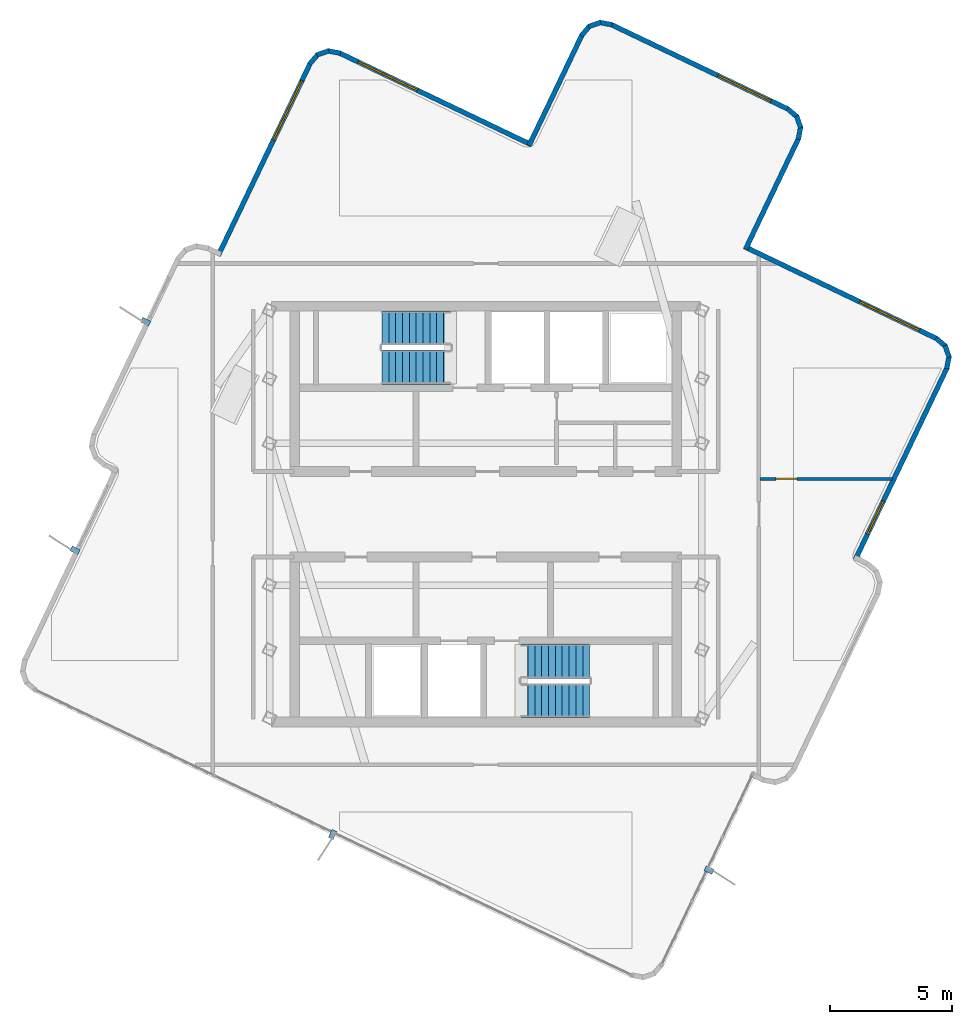
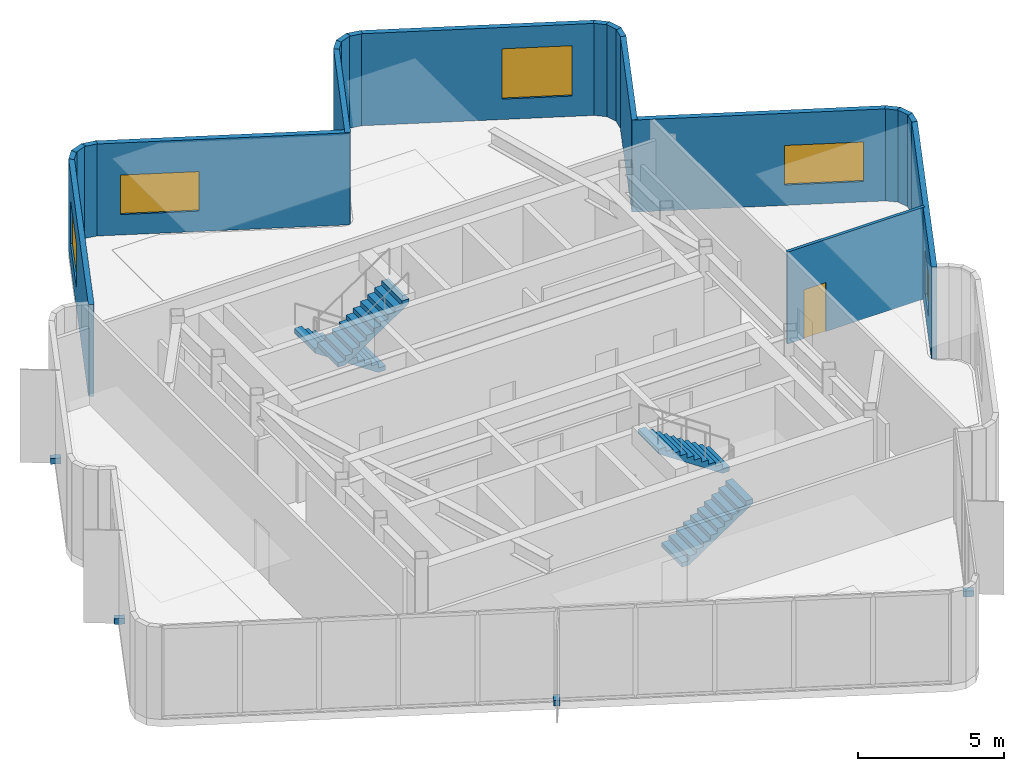
# One storey, part 5 of 8: 20 walls, 5 windows, 4 discrete accessories, 4 stair flights, 1 door, 6 openings, 2 elements without a shape of their own.
"""IFC4 building model written with IfcOpenShell, lengths in metres."""

from ifc_helpers import new_model, si_unit, direction, frame, frame_2d, origin, origin_2d, place, context, subcontext, project, spatial, polyline, rectangle, outline, extrude, material, layer, layer_set, type_object, element, fill, aggregate, save


model = new_model("IFC4")

# Units and contexts
model_context = context("Model", 3, precision=1e-05, world=origin(), true_north=direction((0.0, 1.0)))
body_context = subcontext(model_context, "Body", "Model", "MODEL_VIEW")
ifc_project = project(units=[si_unit("LENGTHUNIT", "METRE"), si_unit("AREAUNIT", "SQUARE_METRE"), si_unit("VOLUMEUNIT", "CUBIC_METRE"), si_unit("PLANEANGLEUNIT", "RADIAN"), si_unit("MASSUNIT", "GRAM", prefix="KILO")], contexts=[model_context])

# Site, building, storey
site_placement = place(None, origin())
site = spatial("IfcSite", under=ifc_project, at=site_placement, CompositionType="ELEMENT")
building_placement = place(site_placement, origin())
building = spatial("IfcBuilding", under=site, at=building_placement, Name="Solmarez Civic Tower", CompositionType="ELEMENT")
storey_placement = place(building_placement, frame((0.0, 0.0, 293.39990234375)))
storey = spatial("IfcBuildingStorey", under=building, at=storey_placement, Name="L79 Crown", CompositionType="ELEMENT", Elevation=293.39990234375)

# Wall, opening, window
ifc_material_1 = material(Name="Precast concrete C40/50", Category="concrete")
ifc_layer_1 = layer(ifc_material_1, 0.199951171875)
ifc_layer_set_1 = layer_set([ifc_layer_1], Name="Precast concrete C40/50")
wall_type_1 = type_object("IfcWallType", Name="WALL-EXT-200", PredefinedType="SOLIDWALL", material=ifc_layer_set_1)
wall_1_placement = place(storey_placement, frame((-10.949951171875, 10.596923828125, 0.0), z_axis=(0.0, 0.0, 1.0), x_axis=(0.431502019975, 0.902111970189, 0.0)))
wall_1 = element("IfcWall", 1, at=wall_1_placement, inside=storey, type_object=wall_type_1, Name="L79 Crown Exterior Precast Wall 24", PredefinedType="SOLIDWALL", context=body_context, shape_type="SweptSolid", body=[
    extrude(rectangle(XDim=8.727294921875, YDim=0.199951171875, at=frame_2d((4.36376953125, 0.0))), origin(), (0.0, 0.0, 1.0), 3.840087890625),
])
opening_1_placement = place(wall_1_placement, frame((5.22705078125, 0.0, 0.85009765625)))
opening_1 = element("IfcOpeningElement", 2, at=opening_1_placement, cuts=wall_1, Name="Opening W-05", PredefinedType="OPENING", context=body_context, shape_type="SweptSolid", body=[
    extrude(rectangle(XDim=2.699951171875, YDim=1.85009765625, at=frame_2d((1.35009765625, 0.925048828125))), frame((0.0, 0.10986328125, 0.0), z_axis=(0.0, -1.0, 0.0), x_axis=(1.0, 0.0, 0.0)), (0.0, 0.0, 1.0), 0.219970703125),
])
ifc_material_2 = material(Name="Solar Control Bronze-Tinted Insulating Glass", Category="glass")
window_type_1 = type_object("IfcWindowType", Name="WIN-2700X1850", PartitioningType="SINGLE_PANEL", PredefinedType="WINDOW", material=ifc_material_2)
window_1_placement = place(opening_1_placement, origin())
window_1 = element("IfcWindow", 3, at=window_1_placement, inside=storey, type_object=window_type_1, Name="L79 Crown Exterior Facade Window 24", OverallHeight=1.85009765625, OverallWidth=2.699951171875, PartitioningType="SINGLE_PANEL", PredefinedType="WINDOW", context=body_context, shape_type="SweptSolid", body=[
    extrude(rectangle(XDim=2.699951171875, YDim=1.85009765625, at=frame_2d((1.35009765625, 0.925048828125))), frame((0.0, 0.030029296875, 0.0), z_axis=(0.0, -1.0, 0.0), x_axis=(1.0, 0.0, 0.0)), (0.0, 0.0, 1.0), 0.06005859375),
])
fill(opening_1, window_1)

# Walls
wall_2_placement = place(storey_placement, frame((-7.2109375, 18.427978515625, 0.0), z_axis=(0.0, 0.0, 1.0), x_axis=(0.649988656018, 0.759943910462, 0.0)))
element("IfcWall", 4, at=wall_2_placement, inside=storey, type_object=wall_type_1, Name="L79 Crown Exterior Precast Wall 25", PredefinedType="SOLIDWALL", context=body_context, shape_type="SweptSolid", body=[
    extrude(rectangle(XDim=0.526123046875, YDim=0.199951171875, at=frame_2d((0.26318359375, 0.0))), origin(), (0.0, 0.0, 1.0), 3.840087890625),
])
wall_3_placement = place(storey_placement, frame((-6.908935546875, 18.801025390625, 0.0), z_axis=(0.0, 0.0, 1.0), x_axis=(0.943339872384, 0.331828095813, 0.0)))
element("IfcWall", 5, at=wall_3_placement, inside=storey, type_object=wall_type_1, Name="L79 Crown Exterior Precast Wall 26", PredefinedType="SOLIDWALL", context=body_context, shape_type="SweptSolid", body=[
    extrude(rectangle(XDim=0.51513671875, YDim=0.199951171875, at=frame_2d((0.257568359375, 0.0))), origin(), (0.0, 0.0, 1.0), 3.840087890625),
])
wall_4_placement = place(storey_placement, frame((-6.471923828125, 18.968994140625, 0.0), z_axis=(0.0, 0.0, 1.0), x_axis=(0.982736118113, -0.185012762142, 0.0)))
element("IfcWall", 6, at=wall_4_placement, inside=storey, type_object=wall_type_1, Name="L79 Crown Exterior Precast Wall 27", PredefinedType="SOLIDWALL", context=body_context, shape_type="SweptSolid", body=[
    extrude(rectangle(XDim=0.529052734375, YDim=0.199951171875, at=frame_2d((0.2646484375, 0.0))), origin(), (0.0, 0.0, 1.0), 3.840087890625),
])

# Wall, opening, window
wall_5_placement = place(storey_placement, frame((-6.0, 18.886962890625, 0.0), z_axis=(0.0, 0.0, 1.0), x_axis=(0.902155524993, -0.431410951095, 0.0)))
wall_5 = element("IfcWall", 7, at=wall_5_placement, inside=storey, type_object=wall_type_1, Name="L79 Crown Exterior Precast Wall 28", PredefinedType="SOLIDWALL", context=body_context, shape_type="SweptSolid", body=[
    extrude(rectangle(XDim=8.726806640625, YDim=0.199951171875, at=frame_2d((4.36328125, 0.0))), origin(), (0.0, 0.0, 1.0), 3.840087890625),
])
opening_2_placement = place(wall_5_placement, frame((0.85009765625, 0.0, 0.85009765625)))
opening_2 = element("IfcOpeningElement", 8, at=opening_2_placement, cuts=wall_5, Name="Opening W-09", PredefinedType="OPENING", context=body_context, shape_type="SweptSolid", body=[
    extrude(rectangle(XDim=2.699951171875, YDim=1.64990234375, at=frame_2d((1.35009765625, 0.824951171875))), frame((0.0, 0.10986328125, 0.0), z_axis=(0.0, -1.0, 0.0), x_axis=(1.0, 0.0, 0.0)), (0.0, 0.0, 1.0), 0.219970703125),
])
window_type_2 = type_object("IfcWindowType", Name="WIN-2700X1650", PartitioningType="SINGLE_PANEL", PredefinedType="WINDOW", material=ifc_material_2)
window_2_placement = place(opening_2_placement, origin())
window_2 = element("IfcWindow", 9, at=window_2_placement, inside=storey, type_object=window_type_2, Name="L79 Crown Exterior Facade Window 28", OverallHeight=1.64990234375, OverallWidth=2.699951171875, PartitioningType="SINGLE_PANEL", PredefinedType="WINDOW", context=body_context, shape_type="SweptSolid", body=[
    extrude(rectangle(XDim=2.699951171875, YDim=1.64990234375, at=frame_2d((1.35009765625, 0.824951171875))), frame((0.0, 0.030029296875, 0.0), z_axis=(0.0, -1.0, 0.0), x_axis=(1.0, 0.0, 0.0)), (0.0, 0.0, 1.0), 0.06005859375),
])
fill(opening_2, window_2)

# Walls
wall_6_placement = place(storey_placement, frame((1.76611328125, 15.0849609375, 0.0), z_axis=(0.0, 0.0, 1.0), x_axis=(0.431553161913, 0.902087505979, 0.0)))
element("IfcWall", 10, at=wall_6_placement, inside=storey, type_object=wall_type_1, Name="L79 Crown Exterior Precast Wall 31", PredefinedType="SOLIDWALL", context=body_context, shape_type="SweptSolid", body=[
    extrude(rectangle(XDim=5.041748046875, YDim=0.199951171875, at=frame_2d((2.52099609375, 0.0))), origin(), (0.0, 0.0, 1.0), 3.840087890625),
])
wall_7_placement = place(storey_placement, frame((3.9150390625, 19.591064453125, 0.0), z_axis=(0.0, 0.0, 1.0), x_axis=(0.649072802024, 0.760726296162, 0.0)))
element("IfcWall", 11, at=wall_7_placement, inside=storey, type_object=wall_type_1, Name="L79 Crown Exterior Precast Wall 32", PredefinedType="SOLIDWALL", context=body_context, shape_type="SweptSolid", body=[
    extrude(rectangle(XDim=0.52685546875, YDim=0.199951171875, at=frame_2d((0.263427734375, 0.0))), origin(), (0.0, 0.0, 1.0), 3.840087890625),
])
wall_8_placement = place(storey_placement, frame((4.217041015625, 19.965087890625, 0.0), z_axis=(0.0, 0.0, 1.0), x_axis=(0.943932282936, 0.330139130112, 0.0)))
element("IfcWall", 12, at=wall_8_placement, inside=storey, type_object=wall_type_1, Name="L79 Crown Exterior Precast Wall 33", PredefinedType="SOLIDWALL", context=body_context, shape_type="SweptSolid", body=[
    extrude(rectangle(XDim=0.5146484375, YDim=0.199951171875, at=frame_2d((0.25732421875, 0.0))), origin(), (0.0, 0.0, 1.0), 3.840087890625),
])
wall_9_placement = place(storey_placement, frame((4.654052734375, 20.132080078125, 0.0), z_axis=(0.0, 0.0, 1.0), x_axis=(0.98292448712, -0.184009381879, 0.0)))
element("IfcWall", 13, at=wall_9_placement, inside=storey, type_object=wall_type_1, Name="L79 Crown Exterior Precast Wall 34", PredefinedType="SOLIDWALL", context=body_context, shape_type="SweptSolid", body=[
    extrude(rectangle(XDim=0.528076171875, YDim=0.199951171875, at=frame_2d((0.26416015625, 0.0))), origin(), (0.0, 0.0, 1.0), 3.840087890625),
])

# Wall, opening, window
wall_10_placement = place(storey_placement, frame((5.125, 20.051025390625, 0.0), z_axis=(0.0, 0.0, 1.0), x_axis=(0.902156788426, -0.431408309026, 0.0)))
wall_10 = element("IfcWall", 14, at=wall_10_placement, inside=storey, type_object=wall_type_1, Name="L79 Crown Exterior Precast Wall 35", PredefinedType="SOLIDWALL", context=body_context, shape_type="SweptSolid", body=[
    extrude(rectangle(XDim=8.05517578125, YDim=0.199951171875, at=frame_2d((4.027587890625, 0.0))), origin(), (0.0, 0.0, 1.0), 3.840087890625),
])
opening_3_placement = place(wall_10_placement, frame((4.85498046875, 0.0, 0.85009765625)))
opening_3 = element("IfcOpeningElement", 15, at=opening_3_placement, cuts=wall_10, Name="Opening W-02", PredefinedType="OPENING", context=body_context, shape_type="SweptSolid", body=[
    extrude(rectangle(XDim=2.39990234375, YDim=2.10009765625, at=frame_2d((1.199951171875, 1.050048828125))), frame((0.0, 0.10986328125, 0.0), z_axis=(0.0, -1.0, 0.0), x_axis=(1.0, 0.0, 0.0)), (0.0, 0.0, 1.0), 0.219970703125),
])
window_type_3 = type_object("IfcWindowType", Name="WIN-2400X2100", PartitioningType="SINGLE_PANEL", PredefinedType="WINDOW", material=ifc_material_2)
window_3_placement = place(opening_3_placement, origin())
window_3 = element("IfcWindow", 16, at=window_3_placement, inside=storey, type_object=window_type_3, Name="L79 Crown Exterior Facade Window 35", OverallHeight=2.10009765625, OverallWidth=2.39990234375, PartitioningType="SINGLE_PANEL", PredefinedType="WINDOW", context=body_context, shape_type="SweptSolid", body=[
    extrude(rectangle(XDim=2.39990234375, YDim=2.10009765625, at=frame_2d((1.199951171875, 1.050048828125))), frame((0.0, 0.030029296875, 0.0), z_axis=(0.0, -1.0, 0.0), x_axis=(1.0, 0.0, 0.0)), (0.0, 0.0, 1.0), 0.06005859375),
])
fill(opening_3, window_3)

# Walls
wall_11_placement = place(storey_placement, frame((12.35009765625, 16.60302734375, 0.0), z_axis=(0.0, 0.0, 1.0), x_axis=(0.759811608527, -0.650143306931, 0.0)))
element("IfcWall", 17, at=wall_11_placement, inside=storey, type_object=wall_type_1, Name="L79 Crown Exterior Precast Wall 36", PredefinedType="SOLIDWALL", context=body_context, shape_type="SweptSolid", body=[
    extrude(rectangle(XDim=0.527587890625, YDim=0.199951171875, at=frame_2d((0.263671875, 0.0))), origin(), (0.0, 0.0, 1.0), 3.840087890625),
])
wall_12_placement = place(storey_placement, frame((12.72412109375, 16.300048828125, 0.0), z_axis=(0.0, 0.0, 1.0), x_axis=(0.330583142239, -0.943776873031, 0.0)))
element("IfcWall", 18, at=wall_12_placement, inside=storey, type_object=wall_type_1, Name="L79 Crown Exterior Precast Wall 37", PredefinedType="SOLIDWALL", context=body_context, shape_type="SweptSolid", body=[
    extrude(rectangle(XDim=0.513916015625, YDim=0.199951171875, at=frame_2d((0.2568359375, 0.0))), origin(), (0.0, 0.0, 1.0), 3.840087890625),
])
wall_13_placement = place(storey_placement, frame((12.89111328125, 15.864013671875, 0.0), z_axis=(0.0, 0.0, 1.0), x_axis=(-0.183675492916, -0.982986934451, 0.0)))
element("IfcWall", 19, at=wall_13_placement, inside=storey, type_object=wall_type_1, Name="L79 Crown Exterior Precast Wall 38", PredefinedType="SOLIDWALL", context=body_context, shape_type="SweptSolid", body=[
    extrude(rectangle(XDim=0.529052734375, YDim=0.199951171875, at=frame_2d((0.2646484375, 0.0))), origin(), (0.0, 0.0, 1.0), 3.840087890625),
])
wall_14_placement = place(storey_placement, frame((12.81005859375, 15.39208984375, 0.0), z_axis=(0.0, 0.0, 1.0), x_axis=(-0.431517168739, -0.902104724011, 0.0)))
element("IfcWall", 20, at=wall_14_placement, inside=storey, type_object=wall_type_1, Name="L79 Crown Exterior Precast Wall 39", PredefinedType="SOLIDWALL", context=body_context, shape_type="SweptSolid", body=[
    extrude(rectangle(XDim=5.042724609375, YDim=0.199951171875, at=frame_2d((2.521484375, 0.0))), origin(), (0.0, 0.0, 1.0), 3.840087890625),
])

# Wall, opening, window
wall_15_placement = place(storey_placement, frame((10.596923828125, 10.949951171875, 0.0), z_axis=(0.0, 0.0, 1.0), x_axis=(0.902111970189, -0.431502019975, 0.0)))
wall_15 = element("IfcWall", 21, at=wall_15_placement, inside=storey, type_object=wall_type_1, Name="L79 Crown Exterior Precast Wall 42", PredefinedType="SOLIDWALL", context=body_context, shape_type="SweptSolid", body=[
    extrude(rectangle(XDim=8.727294921875, YDim=0.199951171875, at=frame_2d((4.36376953125, 0.0))), origin(), (0.0, 0.0, 1.0), 3.840087890625),
])
opening_4_placement = place(wall_15_placement, frame((5.22705078125, 0.0, 0.85009765625)))
opening_4 = element("IfcOpeningElement", 22, at=opening_4_placement, cuts=wall_15, Name="Opening W-09", PredefinedType="OPENING", context=body_context, shape_type="SweptSolid", body=[
    extrude(rectangle(XDim=2.699951171875, YDim=1.64990234375, at=frame_2d((1.35009765625, 0.824951171875))), frame((0.0, 0.10986328125, 0.0), z_axis=(0.0, -1.0, 0.0), x_axis=(1.0, 0.0, 0.0)), (0.0, 0.0, 1.0), 0.219970703125),
])
window_4_placement = place(opening_4_placement, origin())
window_4 = element("IfcWindow", 23, at=window_4_placement, inside=storey, type_object=window_type_2, Name="L79 Crown Exterior Facade Window 42", OverallHeight=1.64990234375, OverallWidth=2.699951171875, PartitioningType="SINGLE_PANEL", PredefinedType="WINDOW", context=body_context, shape_type="SweptSolid", body=[
    extrude(rectangle(XDim=2.699951171875, YDim=1.64990234375, at=frame_2d((1.35009765625, 0.824951171875))), frame((0.0, 0.030029296875, 0.0), z_axis=(0.0, -1.0, 0.0), x_axis=(1.0, 0.0, 0.0)), (0.0, 0.0, 1.0), 0.06005859375),
])
fill(opening_4, window_4)

# Walls
wall_16_placement = place(storey_placement, frame((18.427978515625, 7.2109375, 0.0), z_axis=(0.0, 0.0, 1.0), x_axis=(0.759943910462, -0.649988656018, 0.0)))
element("IfcWall", 24, at=wall_16_placement, inside=storey, type_object=wall_type_1, Name="L79 Crown Exterior Precast Wall 43", PredefinedType="SOLIDWALL", context=body_context, shape_type="SweptSolid", body=[
    extrude(rectangle(XDim=0.526123046875, YDim=0.199951171875, at=frame_2d((0.26318359375, 0.0))), origin(), (0.0, 0.0, 1.0), 3.840087890625),
])
wall_17_placement = place(storey_placement, frame((18.801025390625, 6.908935546875, 0.0), z_axis=(0.0, 0.0, 1.0), x_axis=(0.331828095813, -0.943339872384, 0.0)))
element("IfcWall", 25, at=wall_17_placement, inside=storey, type_object=wall_type_1, Name="L79 Crown Exterior Precast Wall 44", PredefinedType="SOLIDWALL", context=body_context, shape_type="SweptSolid", body=[
    extrude(rectangle(XDim=0.51513671875, YDim=0.199951171875, at=frame_2d((0.257568359375, 0.0))), origin(), (0.0, 0.0, 1.0), 3.840087890625),
])
wall_18_placement = place(storey_placement, frame((18.968994140625, 6.471923828125, 0.0), z_axis=(0.0, 0.0, 1.0), x_axis=(-0.185012762142, -0.982736118113, 0.0)))
element("IfcWall", 26, at=wall_18_placement, inside=storey, type_object=wall_type_1, Name="L79 Crown Exterior Precast Wall 45", PredefinedType="SOLIDWALL", context=body_context, shape_type="SweptSolid", body=[
    extrude(rectangle(XDim=0.529052734375, YDim=0.199951171875, at=frame_2d((0.2646484375, 0.0))), origin(), (0.0, 0.0, 1.0), 3.840087890625),
])

# Wall, opening, window
wall_19_placement = place(storey_placement, frame((18.886962890625, 6.0, 0.0), z_axis=(0.0, 0.0, 1.0), x_axis=(-0.4314545073, -0.902134695115, 0.0)))
wall_19 = element("IfcWall", 27, at=wall_19_placement, inside=storey, type_object=wall_type_1, Name="L79 Crown Exterior Precast Wall 46", PredefinedType="SOLIDWALL", context=body_context, shape_type="SweptSolid", body=[
    extrude(rectangle(XDim=8.72607421875, YDim=0.199951171875, at=frame_2d((4.363037109375, 0.0))), origin(), (0.0, 0.0, 1.0), 3.840087890625),
])
opening_5_placement = place(wall_19_placement, frame((6.055908203125, 0.0, 0.85009765625)))
opening_5 = element("IfcOpeningElement", 28, at=opening_5_placement, cuts=wall_19, Name="Opening W-13", PredefinedType="OPENING", context=body_context, shape_type="SweptSolid", body=[
    extrude(rectangle(XDim=1.5, YDim=1.800048828125, at=frame_2d((0.75, 0.89990234375))), frame((0.0, 0.10986328125, 0.0), z_axis=(0.0, -1.0, 0.0), x_axis=(1.0, 0.0, 0.0)), (0.0, 0.0, 1.0), 0.219970703125),
])
window_type_4 = type_object("IfcWindowType", Name="WIN-1500X1800", PartitioningType="SINGLE_PANEL", PredefinedType="WINDOW", material=ifc_material_2)
window_5_placement = place(opening_5_placement, origin())
window_5 = element("IfcWindow", 29, at=window_5_placement, inside=storey, type_object=window_type_4, Name="L79 Crown Exterior Facade Window 46", OverallHeight=1.800048828125, OverallWidth=1.5, PartitioningType="SINGLE_PANEL", PredefinedType="WINDOW", context=body_context, shape_type="SweptSolid", body=[
    extrude(rectangle(XDim=1.5, YDim=1.800048828125, at=frame_2d((0.75, 0.89990234375))), frame((0.0, 0.030029296875, 0.0), z_axis=(0.0, -1.0, 0.0), x_axis=(1.0, 0.0, 0.0)), (0.0, 0.0, 1.0), 0.06005859375),
])
fill(opening_5, window_5)

# Wall, opening, door
ifc_material_3 = material(Name="Gypsum Board Acoustic Steel-Stud Partition", Category="steel")
ifc_layer_2 = layer(ifc_material_3, 0.1201171875)
ifc_layer_set_2 = layer_set([ifc_layer_2], Name="Gypsum Board Acoustic Steel-Stud Partition")
wall_type_2 = type_object("IfcWallType", Name="WALL-INT-PART-120", PredefinedType="PARTITIONING", material=ifc_layer_set_2)
wall_20_placement = place(storey_placement, frame((11.219970703125, 1.449951171875, 0.0), z_axis=(0.0, 0.0, 1.0), x_axis=(1.0, 0.0, 0.0)))
wall_20 = element("IfcWall", 30, at=wall_20_placement, inside=storey, type_object=wall_type_2, Name="L79 Crown Interior Partition PT-L79 Crown-EMID", PredefinedType="PARTITIONING", context=body_context, shape_type="SweptSolid", body=[
    extrude(rectangle(XDim=5.4189453125, YDim=0.1201171875, at=frame_2d((2.70947265625, 0.0))), origin(), (0.0, 0.0, 1.0), 3.840087890625),
])
opening_6_placement = place(wall_20_placement, frame((0.64990234375, 0.0, 0.0)))
opening_6 = element("IfcOpeningElement", 31, at=opening_6_placement, cuts=wall_20, Name="Opening D-14", PredefinedType="OPENING", context=body_context, shape_type="SweptSolid", body=[
    extrude(rectangle(XDim=0.860107421875, YDim=2.0400390625, at=frame_2d((0.43017578125, 1.02001953125))), frame((0.0, 0.070068359375, 0.0), z_axis=(0.0, -1.0, 0.0), x_axis=(1.0, 0.0, 0.0)), (0.0, 0.0, 1.0), 0.14013671875),
])
ifc_material_4 = material(Name="Timber Storage and Pantry Door", Category="wood")
door_type = type_object("IfcDoorType", Name="DOOR-INT-850", OperationType="NOTDEFINED", PredefinedType="DOOR", material=ifc_material_4)
door_placement = place(opening_6_placement, origin())
door = element("IfcDoor", 32, at=door_placement, inside=storey, type_object=door_type, Name="L79 Crown Conservatory Alcove Door", OperationType="SINGLE_SWING_LEFT", OverallHeight=2.0400390625, OverallWidth=0.860107421875, PredefinedType="DOOR", context=body_context, shape_type="SweptSolid", body=[
    extrude(rectangle(XDim=0.860107421875, YDim=2.0400390625, at=frame_2d((0.43017578125, 1.02001953125))), frame((0.0, 0.02490234375, 0.0), z_axis=(0.0, -1.0, 0.0), x_axis=(1.0, 0.0, 0.0)), (0.0, 0.0, 1.0), 0.050048828125),
])
fill(opening_6, door)

# Stair, stair flights
ifc_material_5 = material(Name="Concrete C50/60", Category="concrete")
stair_type = type_object("IfcStairType", Name="STAIR-DOGLEG-140W-22R-1882", PredefinedType="HALF_TURN_STAIR", material=ifc_material_5)
stair_1_placement = place(storey_placement, origin())
stair_1 = element("IfcStair", 33, at=stair_1_placement, inside=storey, type_object=stair_type, Name="L79 Crown North Core Protected Exit Stair ST-1", PredefinedType="HALF_TURN_STAIR")
stair_flight_type = type_object("IfcStairFlightType", Name="FLIGHT-DOGLEG-140W-11R-1882", PredefinedType="STRAIGHT", material=ifc_material_5)
stair_flight_1_placement = place(storey_placement, frame((-1.449951171875, 7.6201171875, 0.0), z_axis=(0.0, 0.0, 1.0), x_axis=(-1.0, 0.0, 0.0)))
stair_flight_1 = element("IfcStairFlight", 34, at=stair_flight_1_placement, type_object=stair_flight_type, Name="ST-1 flight 1", NumberOfRisers=11, NumberOfTreads=10, PredefinedType="STRAIGHT", RiserHeight=0.188181818, TreadLength=0.28, context=body_context, shape_type="SweptSolid", body=[
    extrude(outline(polyline([(0.0, 0.0), (0.0, 0.188232421875), (0.280029296875, 0.188232421875), (0.280029296875, 0.37646484375), (0.56005859375, 0.37646484375), (0.56005859375, 0.564453125), (0.840087890625, 0.564453125), (0.840087890625, 0.752685546875), (1.1201171875, 0.752685546875), (1.1201171875, 0.94091796875), (1.39990234375, 0.94091796875), (1.39990234375, 1.129150390625), (1.679931640625, 1.129150390625), (1.679931640625, 1.3173828125), (1.9599609375, 1.3173828125), (1.9599609375, 1.50537109375), (2.239990234375, 1.50537109375), (2.239990234375, 1.693603515625), (2.52001953125, 1.693603515625), (2.52001953125, 1.8818359375), (2.800048828125, 1.8818359375), (2.800048828125, 2.070068359375), (2.800048828125, 1.689208984375), (0.28662109375, 0.0), (0.0, 0.0)])), frame((0.0, 0.699951171875, 0.0), z_axis=(0.0, -1.0, 0.0), x_axis=(1.0, 0.0, 0.0)), (0.0, 0.0, 1.0), 1.39990234375),
])
stair_flight_2_placement = place(storey_placement, frame((-4.25, 6.02001953125, 2.070068359375), z_axis=(0.0, 0.0, 1.0), x_axis=(1.0, 0.0, 0.0)))
stair_flight_2 = element("IfcStairFlight", 35, at=stair_flight_2_placement, type_object=stair_flight_type, Name="ST-1 flight 2", NumberOfRisers=11, NumberOfTreads=10, PredefinedType="STRAIGHT", RiserHeight=0.188181818, TreadLength=0.28, context=body_context, shape_type="SweptSolid", body=[
    extrude(outline(polyline([(0.0, 0.0), (0.0, 0.188232421875), (0.280029296875, 0.188232421875), (0.280029296875, 0.37646484375), (0.56005859375, 0.37646484375), (0.56005859375, 0.564453125), (0.840087890625, 0.564453125), (0.840087890625, 0.752685546875), (1.1201171875, 0.752685546875), (1.1201171875, 0.94091796875), (1.39990234375, 0.94091796875), (1.39990234375, 1.129150390625), (1.679931640625, 1.129150390625), (1.679931640625, 1.3173828125), (1.9599609375, 1.3173828125), (1.9599609375, 1.50537109375), (2.239990234375, 1.50537109375), (2.239990234375, 1.693603515625), (2.52001953125, 1.693603515625), (2.52001953125, 1.8818359375), (2.800048828125, 1.8818359375), (2.800048828125, 2.070068359375), (2.800048828125, 1.689208984375), (0.28662109375, 0.0), (0.0, 0.0)])), frame((0.0, 0.699951171875, 0.0), z_axis=(0.0, -1.0, 0.0), x_axis=(1.0, 0.0, 0.0)), (0.0, 0.0, 1.0), 1.39990234375),
])
aggregate(stair_1, [stair_flight_1, stair_flight_2])

stair_2_placement = place(storey_placement, origin())
stair_2 = element("IfcStair", 36, at=stair_2_placement, inside=storey, type_object=stair_type, Name="L79 Crown South Core Protected Exit Stair ST-2", PredefinedType="HALF_TURN_STAIR")
stair_flight_3_placement = place(storey_placement, frame((1.449951171875, -7.6201171875, 0.0), z_axis=(0.0, 0.0, 1.0), x_axis=(1.0, 0.0, 0.0)))
stair_flight_3 = element("IfcStairFlight", 37, at=stair_flight_3_placement, type_object=stair_flight_type, Name="ST-2 flight 1", NumberOfRisers=11, NumberOfTreads=10, PredefinedType="STRAIGHT", RiserHeight=0.188181818, TreadLength=0.28, context=body_context, shape_type="SweptSolid", body=[
    extrude(outline(polyline([(0.0, 0.0), (0.0, 0.188232421875), (0.280029296875, 0.188232421875), (0.280029296875, 0.37646484375), (0.56005859375, 0.37646484375), (0.56005859375, 0.564453125), (0.840087890625, 0.564453125), (0.840087890625, 0.752685546875), (1.1201171875, 0.752685546875), (1.1201171875, 0.94091796875), (1.39990234375, 0.94091796875), (1.39990234375, 1.129150390625), (1.679931640625, 1.129150390625), (1.679931640625, 1.3173828125), (1.9599609375, 1.3173828125), (1.9599609375, 1.50537109375), (2.239990234375, 1.50537109375), (2.239990234375, 1.693603515625), (2.52001953125, 1.693603515625), (2.52001953125, 1.8818359375), (2.800048828125, 1.8818359375), (2.800048828125, 2.070068359375), (2.800048828125, 1.689208984375), (0.28662109375, 0.0), (0.0, 0.0)])), frame((0.0, 0.699951171875, 0.0), z_axis=(0.0, -1.0, 0.0), x_axis=(1.0, 0.0, 0.0)), (0.0, 0.0, 1.0), 1.39990234375),
])
stair_flight_4_placement = place(storey_placement, frame((4.25, -6.02001953125, 2.070068359375), z_axis=(0.0, 0.0, 1.0), x_axis=(-1.0, 0.0, 0.0)))
stair_flight_4 = element("IfcStairFlight", 38, at=stair_flight_4_placement, type_object=stair_flight_type, Name="ST-2 flight 2", NumberOfRisers=11, NumberOfTreads=10, PredefinedType="STRAIGHT", RiserHeight=0.188181818, TreadLength=0.28, context=body_context, shape_type="SweptSolid", body=[
    extrude(outline(polyline([(0.0, 0.0), (0.0, 0.188232421875), (0.280029296875, 0.188232421875), (0.280029296875, 0.37646484375), (0.56005859375, 0.37646484375), (0.56005859375, 0.564453125), (0.840087890625, 0.564453125), (0.840087890625, 0.752685546875), (1.1201171875, 0.752685546875), (1.1201171875, 0.94091796875), (1.39990234375, 0.94091796875), (1.39990234375, 1.129150390625), (1.679931640625, 1.129150390625), (1.679931640625, 1.3173828125), (1.9599609375, 1.3173828125), (1.9599609375, 1.50537109375), (2.239990234375, 1.50537109375), (2.239990234375, 1.693603515625), (2.52001953125, 1.693603515625), (2.52001953125, 1.8818359375), (2.800048828125, 1.8818359375), (2.800048828125, 2.070068359375), (2.800048828125, 1.689208984375), (0.28662109375, 0.0), (0.0, 0.0)])), frame((0.0, 0.699951171875, 0.0), z_axis=(0.0, -1.0, 0.0), x_axis=(1.0, 0.0, 0.0)), (0.0, 0.0, 1.0), 1.39990234375),
])
aggregate(stair_2, [stair_flight_3, stair_flight_4])

# Discrete accessories
ifc_material_6 = material(Name="Stainless Steel Grade 1.4401", Category="steel")
discrete_accessory_type = type_object("IfcDiscreteAccessoryType", Name="BRACKET-SS-FIN", PredefinedType="BRACKET", material=ifc_material_6)
for number, where, z_axis, x_axis, name in (
    (39, (9.138916015625, -14.568115234375, -0.06005859375), (0.0, 0.0, 1.0), (0.902130295959, -0.431463705441, 0.0), "L79 Crown Stainless Fin Support Bracket FIN-L79 Crown-01"),
    (40, (-6.27001953125, -13.10791015625, -0.06005859375), (0.0, 0.0, 1.0), (-0.431454190328, -0.90213484671, 0.0), "L79 Crown Stainless Fin Support Bracket FIN-L79 Crown-02"),
    (41, (-16.81201171875, -1.47607421875, -0.06005859375), (0.0, 0.0, 1.0), (-0.902153851948, 0.431414449705, 0.0), "L79 Crown Stainless Fin Support Bracket FIN-L79 Crown-03"),
    (42, (-13.9208984375, 7.883056640625, -0.06005859375), (0.0, 0.0, 1.0), (-0.902110964349, 0.431504122809, 0.0), "L79 Crown Stainless Fin Support Bracket FIN-L79 Crown-04"),
):
    element("IfcDiscreteAccessory", number, at=place(storey_placement, frame(where, z_axis=z_axis, x_axis=x_axis)), inside=storey, type_object=discrete_accessory_type, Name=name, PredefinedType="BRACKET", context=body_context, shape_type="SweptSolid", body=[
        extrude(rectangle(XDim=0.360107421875, YDim=0.219970703125, at=origin_2d()), origin(), (0.0, 0.0, 1.0), 0.239990234375),
    ])

save(model, "model.ifc")
